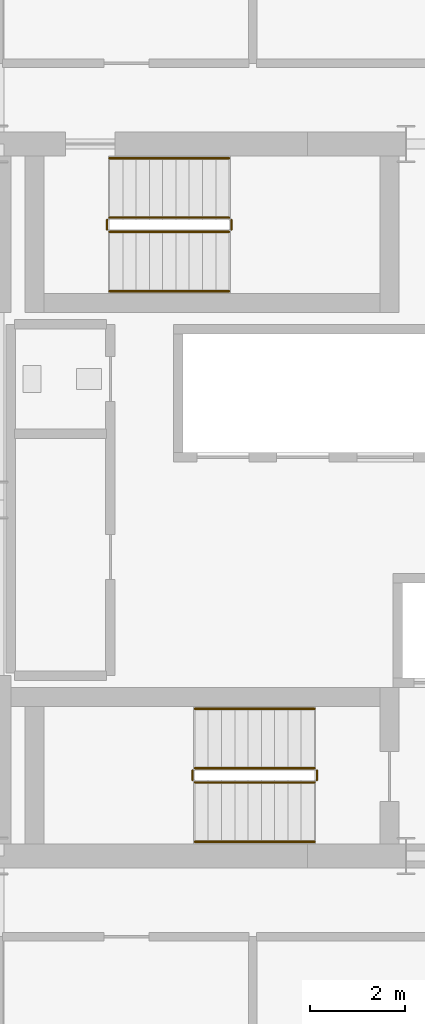
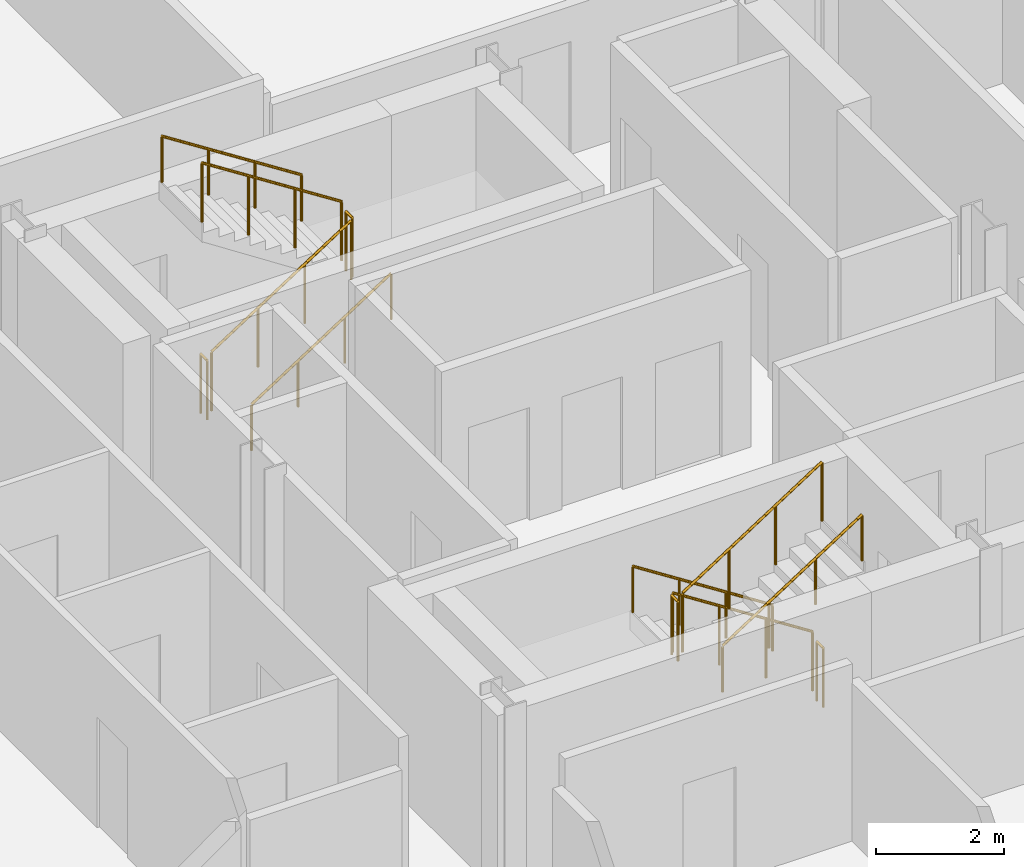
# One storey, part 22 of 23: 12 railings.
"""IFC4 building model written with IfcOpenShell, lengths in metres."""

import ifcopenshell
import ifcopenshell.guid

model = None  # the IFC model being written
_history = None  # IfcOwnerHistory: only IFC2X3 demands one
_inside = {}  # id of a spatial element -> (the spatial element, [elements in it])
_under = {}  # id of a project, library or spatial element -> (it, [spatial elements below it])
_declared = {}  # id of a project -> (the project, [libraries it declares])
_typed = {}  # id of a type object -> (the type object, [elements of that type])
_made_of = {}  # id of a material, layer set ... -> (it, [elements and type objects made of it])


def new_model(schema):
    """Start an empty IFC model of exactly this schema.

    Asked for "IFC4X3", IfcOpenShell would pick the latest addendum, in which some entities
    have other attributes; the version numbers below select the first issue.
    IFC2X3 requires an IfcOwnerHistory on every rooted entity: one is made here for all.
    """
    global model, _history
    if schema == "IFC4X3":
        model = ifcopenshell.file(schema_version=(4, 3, 0, 0))
    else:
        model = ifcopenshell.file(schema=schema)
    _inside.clear()
    _under.clear()
    _declared.clear()
    _typed.clear()
    _made_of.clear()
    _history = None
    if model.schema == "IFC2X3":
        org = make("IfcOrganization", Name="unknown")
        user = make(
            "IfcPersonAndOrganization",
            ThePerson=make("IfcPerson", FamilyName="unknown"),
            TheOrganization=org,
        )
        app = make(
            "IfcApplication",
            ApplicationDeveloper=org,
            Version="unknown",
            ApplicationFullName="unknown",
            ApplicationIdentifier="unknown",
        )
        _history = make(
            "IfcOwnerHistory",
            OwningUser=user,
            OwningApplication=app,
            ChangeAction="ADDED",
            CreationDate=0,
        )
    return model


def make(cls, **values):
    """One entity of the class cls with the attributes given. An attribute that is None is left unset."""
    return model.create_entity(
        cls, **{name: value for name, value in values.items() if value is not None}
    )


def rooted(cls, **values):
    """An entity with a GlobalId (a new one), such as an element, a storey or a relation."""
    return make(cls, GlobalId=ifcopenshell.guid.new(), OwnerHistory=_history, **values)


def si_unit(unit_type, name, prefix=None):
    """IfcSIUnit, for example si_unit("LENGTHUNIT", "METRE", prefix="MILLI")."""
    return make("IfcSIUnit", UnitType=unit_type, Prefix=prefix, Name=name)


def assignment(units):
    """IfcUnitAssignment: the units of a project."""
    return None if units is None else make("IfcUnitAssignment", Units=units)


def point(xyz):
    """IfcCartesianPoint."""
    return None if xyz is None else make("IfcCartesianPoint", Coordinates=xyz)


def direction(xyz):
    """IfcDirection."""
    return None if xyz is None else make("IfcDirection", DirectionRatios=xyz)


def frame(location, z_axis=None, x_axis=None):
    """IfcAxis2Placement3D, a coordinate frame: its origin and axes. An axis left out is left unset."""
    return make(
        "IfcAxis2Placement3D",
        Location=point(location),
        Axis=direction(z_axis),
        RefDirection=direction(x_axis),
    )


def frame_2d(location, x_axis=None):
    """IfcAxis2Placement2D, a coordinate frame in the plane: its origin and x axis."""
    return make(
        "IfcAxis2Placement2D", Location=point(location), RefDirection=direction(x_axis)
    )


def origin():
    """The frame at (0, 0, 0) with its axes left unset."""
    return frame((0.0, 0.0, 0.0))


def origin_2d():
    """The frame at (0, 0) in the plane with its x axis left unset."""
    return frame_2d((0.0, 0.0))


def place(relative_to, where):
    """IfcLocalPlacement: puts the frame where relative to a parent placement (None: the world)."""
    return make(
        "IfcLocalPlacement", PlacementRelTo=relative_to, RelativePlacement=where
    )


def context(
    kind, dimensions, precision=None, world=None, true_north=None, identifier=None
):
    """IfcGeometricRepresentationContext, for example the 3D "Model" context."""
    return make(
        "IfcGeometricRepresentationContext",
        ContextIdentifier=identifier,
        ContextType=kind,
        CoordinateSpaceDimension=dimensions,
        Precision=precision,
        WorldCoordinateSystem=world,
        TrueNorth=true_north,
    )


def subcontext(parent, identifier, kind, view, scale=None):
    """IfcGeometricRepresentationSubContext, for example "Body" below "Model"."""
    return make(
        "IfcGeometricRepresentationSubContext",
        ContextIdentifier=identifier,
        ContextType=kind,
        ParentContext=parent,
        TargetScale=scale,
        TargetView=view,
    )


def project(units=None, contexts=None):
    """IfcProject with its units and contexts."""
    return rooted(
        "IfcProject",
        Name="project",
        RepresentationContexts=contexts,
        UnitsInContext=assignment(units),
    )


def spatial(cls, under=None, at=None, **own):
    """A site, building, storey or space (cls), placed at a placement, below another one or the project."""
    s = rooted(cls, ObjectPlacement=at, **own)
    if under is not None:
        _under.setdefault(under.id(), (under, []))[1].append(s)
    return s


def profile(cls, at=None, kind="AREA", **sizes):
    """A parametric profile (cls). Its sizes go by their IFC names, for example OverallWidth=200.0."""
    return make(cls, ProfileType=kind, Position=at, **sizes)


def circle(**sizes):
    """IfcCircleProfileDef."""
    return profile("IfcCircleProfileDef", **sizes)


def extrude(swept, where, along, depth):
    """IfcExtrudedAreaSolid: the profile swept, set in the frame where, extruded along a direction by depth."""
    return make(
        "IfcExtrudedAreaSolid",
        SweptArea=swept,
        Position=where,
        ExtrudedDirection=direction(along),
        Depth=depth,
    )


def shape(context_of_items, identifier, shape_type, items):
    """IfcShapeRepresentation: the items that make up one representation, for example the "Body"."""
    return make(
        "IfcShapeRepresentation",
        ContextOfItems=context_of_items,
        RepresentationIdentifier=identifier,
        RepresentationType=shape_type,
        Items=items,
    )


def material(Name=None, Category=None):
    """IfcMaterial."""
    return make("IfcMaterial", Name=Name, Category=Category)


def made_of(thing, what):
    """Note that an element or type object is made of a material, layer set ...; save() writes the relation."""
    if what is not None:
        _made_of.setdefault(what.id(), (what, []))[1].append(thing)
    return thing


def type_object(cls, material=None, **own):
    """A type object (cls), such as IfcWallType, which elements share."""
    return made_of(rooted(cls, **own), material)


def element(
    cls,
    number,
    at=None,
    inside=None,
    cuts=None,
    type_object=None,
    material=None,
    context=None,
    identifier="Body",
    shape_type=None,
    held_by="IfcProductDefinitionShape",
    body=None,
    shapes=None,
    **own,
):
    """One element of the class cls, such as IfcWall. Its Tag is "e" and its number.

    at: its placement. inside: the storey or other place that contains it. cuts: it is an
    opening in that element (IfcRelVoidsElement). A single representation is given by context,
    identifier, shape_type and body (its items); several are given by shapes. held_by: the class
    of the entity that holds the representations. save() writes the other relations.
    """
    e = rooted(cls, Tag="e%d" % number, ObjectPlacement=at, **own)
    if body is not None:
        shapes = [shape(context, identifier, shape_type, body)]
    if shapes is not None:
        e.Representation = make(held_by, Representations=shapes)
    if inside is not None:
        _inside.setdefault(inside.id(), (inside, []))[1].append(e)
    if cuts is not None:
        rooted(
            "IfcRelVoidsElement", RelatingBuildingElement=cuts, RelatedOpeningElement=e
        )
    if type_object is not None:
        _typed.setdefault(type_object.id(), (type_object, []))[1].append(e)
    return made_of(e, material)


def aggregate(whole, parts):
    """IfcRelAggregates: a whole, such as a stair, and the parts it consists of."""
    return rooted("IfcRelAggregates", RelatingObject=whole, RelatedObjects=parts)


def save(model, path):
    """Write the relations noted so far, then the file.

    IfcRelAggregates (storeys below a building ...), IfcRelContainedInSpatialStructure (elements
    in a storey), IfcRelDefinesByType, IfcRelAssociatesMaterial and IfcRelDeclares: one each for
    every whole, place, type object, material and project.
    """
    for whole, parts in _under.values():
        aggregate(whole, parts)
    for where, things in _inside.values():
        rooted(
            "IfcRelContainedInSpatialStructure",
            RelatedElements=things,
            RelatingStructure=where,
        )
    for kind, things in _typed.values():
        rooted("IfcRelDefinesByType", RelatedObjects=things, RelatingType=kind)
    for what, things in _made_of.values():
        rooted("IfcRelAssociatesMaterial", RelatedObjects=things, RelatingMaterial=what)
    for by, libraries in _declared.values():
        rooted("IfcRelDeclares", RelatingContext=by, RelatedDefinitions=libraries)
    model.write(path)


model = new_model("IFC4")

# Units and contexts
model_context = context("Model", 3, precision=1e-05, world=origin(), true_north=direction((0.0, 1.0)))
body_context = subcontext(model_context, "Body", "Model", "MODEL_VIEW")
ifc_project = project(units=[si_unit("LENGTHUNIT", "METRE"), si_unit("AREAUNIT", "SQUARE_METRE"), si_unit("VOLUMEUNIT", "CUBIC_METRE"), si_unit("PLANEANGLEUNIT", "RADIAN"), si_unit("MASSUNIT", "GRAM", prefix="KILO")], contexts=[model_context])

# Site, building, storey
site_placement = place(None, origin())
site = spatial("IfcSite", under=ifc_project, at=site_placement, CompositionType="ELEMENT")
building_placement = place(site_placement, origin())
building = spatial("IfcBuilding", under=site, at=building_placement, Name="Barlavira Tower and Art Museum", CompositionType="ELEMENT")
storey_placement = place(building_placement, frame((0.0, 0.0, 290.699951171875)))
storey = spatial("IfcBuildingStorey", under=building, at=storey_placement, Name="L76", CompositionType="ELEMENT", Elevation=290.699951171875)

# Railings
ifc_material = material(Name="Brushed stainless steel", Category="steel")
railing_type_1 = type_object("IfcRailingType", Name="Interior Void and Landing Guard Railing 1150", PredefinedType="GUARDRAIL", material=ifc_material)
railing_1_placement = place(storey_placement, frame((0.14990234375, -5.64990234375, 0.179931640625)))
element("IfcRailing", 1, at=railing_1_placement, inside=storey, type_object=railing_type_1, Name="L76 ST-T1 stair guard 1", PredefinedType="GUARDRAIL", context=body_context, shape_type="SweptSolid", body=[
    extrude(circle(Radius=0.02392578125, at=origin_2d()), frame((0.0, 0.0, 1.1259765625), z_axis=(-0.841162588446, 0.0, 0.540782303519), x_axis=(0.0, -1.0, 0.0)), (0.0, 0.0, 1.0), 2.995849609375),
    extrude(circle(Radius=0.02099609375, at=origin_2d()), origin(), (0.0, 0.0, 1.0), 1.101806640625),
    extrude(circle(Radius=0.02099609375, at=origin_2d()), frame((-0.840087890625, 0.0, 0.5400390625)), (0.0, 0.0, 1.0), 1.101806640625),
    extrude(circle(Radius=0.02099609375, at=origin_2d()), frame((-1.679931640625, 0.0, 1.080078125)), (0.0, 0.0, 1.0), 1.101806640625),
    extrude(circle(Radius=0.02099609375, at=origin_2d()), frame((-2.52001953125, 0.0, 1.6201171875)), (0.0, 0.0, 1.0), 1.101806640625),
])
railing_2_placement = place(storey_placement, frame((-2.419921875, -5.699951171875, 1.800048828125)))
element("IfcRailing", 2, at=railing_2_placement, inside=storey, type_object=railing_type_1, Name="L76 ST-T1 stair guard 2", PredefinedType="GUARDRAIL", context=body_context, shape_type="SweptSolid", body=[
    extrude(circle(Radius=0.02392578125, at=origin_2d()), frame((0.0, 0.0, 1.1259765625), z_axis=(0.0, -1.0, 0.0), x_axis=(1.0, 0.0, 0.0)), (0.0, 0.0, 1.0), 0.199951171875),
    extrude(circle(Radius=0.02099609375, at=origin_2d()), origin(), (0.0, 0.0, 1.0), 1.101806640625),
    extrude(circle(Radius=0.02099609375, at=origin_2d()), frame((0.0, -0.199951171875, 0.0)), (0.0, 0.0, 1.0), 1.101806640625),
])
railing_3_placement = place(storey_placement, frame((-2.3701171875, -5.949951171875, 1.97998046875)))
element("IfcRailing", 3, at=railing_3_placement, inside=storey, type_object=railing_type_1, Name="L76 ST-T1 stair guard 3", PredefinedType="GUARDRAIL", context=body_context, shape_type="SweptSolid", body=[
    extrude(circle(Radius=0.02392578125, at=origin_2d()), frame((0.0, 0.0, 1.1259765625), z_axis=(0.841162588446, 0.0, 0.540782303519), x_axis=(0.0, 1.0, 0.0)), (0.0, 0.0, 1.0), 2.995849609375),
    extrude(circle(Radius=0.02099609375, at=origin_2d()), origin(), (0.0, 0.0, 1.0), 1.101806640625),
    extrude(circle(Radius=0.02099609375, at=origin_2d()), frame((0.840087890625, 0.0, 0.5400390625)), (0.0, 0.0, 1.0), 1.101806640625),
    extrude(circle(Radius=0.02099609375, at=origin_2d()), frame((1.679931640625, 0.0, 1.080078125)), (0.0, 0.0, 1.0), 1.101806640625),
    extrude(circle(Radius=0.02099609375, at=origin_2d()), frame((2.52001953125, 0.0, 1.6201171875)), (0.0, 0.0, 1.0), 1.101806640625),
])
railing_4_placement = place(storey_placement, frame((0.199951171875, -5.699951171875, 0.0)))
element("IfcRailing", 4, at=railing_4_placement, inside=storey, type_object=railing_type_1, Name="L76 ST-T1 stair guard 4", PredefinedType="GUARDRAIL", context=body_context, shape_type="SweptSolid", body=[
    extrude(circle(Radius=0.02392578125, at=origin_2d()), frame((0.0, 0.0, 1.1259765625), z_axis=(0.0, -1.0, 0.0), x_axis=(1.0, 0.0, 0.0)), (0.0, 0.0, 1.0), 0.199951171875),
    extrude(circle(Radius=0.02099609375, at=origin_2d()), origin(), (0.0, 0.0, 1.0), 1.101806640625),
    extrude(circle(Radius=0.02099609375, at=origin_2d()), frame((0.0, -0.199951171875, 0.0)), (0.0, 0.0, 1.0), 1.101806640625),
])
railing_5_placement = place(storey_placement, frame((-4.169921875, 5.64990234375, 0.179931640625)))
element("IfcRailing", 5, at=railing_5_placement, inside=storey, type_object=railing_type_1, Name="L76 ST-T2 stair guard 1", PredefinedType="GUARDRAIL", context=body_context, shape_type="SweptSolid", body=[
    extrude(circle(Radius=0.02392578125, at=origin_2d()), frame((0.0, 0.0, 1.1259765625), z_axis=(0.841162588446, 0.0, 0.540782303519), x_axis=(0.0, 1.0, 0.0)), (0.0, 0.0, 1.0), 2.995849609375),
    extrude(circle(Radius=0.02099609375, at=origin_2d()), origin(), (0.0, 0.0, 1.0), 1.101806640625),
    extrude(circle(Radius=0.02099609375, at=origin_2d()), frame((0.840087890625, 0.0, 0.5400390625)), (0.0, 0.0, 1.0), 1.101806640625),
    extrude(circle(Radius=0.02099609375, at=origin_2d()), frame((1.679931640625, 0.0, 1.080078125)), (0.0, 0.0, 1.0), 1.101806640625),
    extrude(circle(Radius=0.02099609375, at=origin_2d()), frame((2.52001953125, 0.0, 1.6201171875)), (0.0, 0.0, 1.0), 1.101806640625),
])
railing_6_placement = place(storey_placement, frame((-1.60009765625, 5.699951171875, 1.800048828125)))
element("IfcRailing", 6, at=railing_6_placement, inside=storey, type_object=railing_type_1, Name="L76 ST-T2 stair guard 2", PredefinedType="GUARDRAIL", context=body_context, shape_type="SweptSolid", body=[
    extrude(circle(Radius=0.02392578125, at=origin_2d()), frame((0.0, 0.0, 1.1259765625), z_axis=(0.0, 1.0, 0.0), x_axis=(-1.0, 0.0, 0.0)), (0.0, 0.0, 1.0), 0.199951171875),
    extrude(circle(Radius=0.02099609375, at=origin_2d()), origin(), (0.0, 0.0, 1.0), 1.101806640625),
    extrude(circle(Radius=0.02099609375, at=origin_2d()), frame((0.0, 0.199951171875, 0.0)), (0.0, 0.0, 1.0), 1.101806640625),
])
railing_7_placement = place(storey_placement, frame((-1.64990234375, 5.949951171875, 1.97998046875)))
element("IfcRailing", 7, at=railing_7_placement, inside=storey, type_object=railing_type_1, Name="L76 ST-T2 stair guard 3", PredefinedType="GUARDRAIL", context=body_context, shape_type="SweptSolid", body=[
    extrude(circle(Radius=0.02392578125, at=origin_2d()), frame((0.0, 0.0, 1.1259765625), z_axis=(-0.841162588446, 0.0, 0.540782303519), x_axis=(0.0, -1.0, 0.0)), (0.0, 0.0, 1.0), 2.995849609375),
    extrude(circle(Radius=0.02099609375, at=origin_2d()), origin(), (0.0, 0.0, 1.0), 1.101806640625),
    extrude(circle(Radius=0.02099609375, at=origin_2d()), frame((-0.840087890625, 0.0, 0.5400390625)), (0.0, 0.0, 1.0), 1.101806640625),
    extrude(circle(Radius=0.02099609375, at=origin_2d()), frame((-1.679931640625, 0.0, 1.080078125)), (0.0, 0.0, 1.0), 1.101806640625),
    extrude(circle(Radius=0.02099609375, at=origin_2d()), frame((-2.52001953125, 0.0, 1.6201171875)), (0.0, 0.0, 1.0), 1.101806640625),
])
railing_8_placement = place(storey_placement, frame((-4.219970703125, 5.699951171875, 0.0)))
element("IfcRailing", 8, at=railing_8_placement, inside=storey, type_object=railing_type_1, Name="L76 ST-T2 stair guard 4", PredefinedType="GUARDRAIL", context=body_context, shape_type="SweptSolid", body=[
    extrude(circle(Radius=0.02392578125, at=origin_2d()), frame((0.0, 0.0, 1.1259765625), z_axis=(0.0, 1.0, 0.0), x_axis=(-1.0, 0.0, 0.0)), (0.0, 0.0, 1.0), 0.199951171875),
    extrude(circle(Radius=0.02099609375, at=origin_2d()), origin(), (0.0, 0.0, 1.0), 1.101806640625),
    extrude(circle(Radius=0.02099609375, at=origin_2d()), frame((0.0, 0.199951171875, 0.0)), (0.0, 0.0, 1.0), 1.101806640625),
])
railing_type_2 = type_object("IfcRailingType", Name="Stair Pitch Tubular Steel Handrail 920", PredefinedType="HANDRAIL", material=ifc_material)
railing_9_placement = place(storey_placement, frame((0.14990234375, -4.39990234375, 0.179931640625)))
element("IfcRailing", 9, at=railing_9_placement, inside=storey, type_object=railing_type_2, Name="L76 ST-T1 stair handrail 1", PredefinedType="HANDRAIL", context=body_context, shape_type="SweptSolid", body=[
    extrude(circle(Radius=0.02392578125, at=origin_2d()), frame((0.0, 0.0, 0.8759765625), z_axis=(-0.841162588446, 0.0, 0.540782303519), x_axis=(0.0, -1.0, 0.0)), (0.0, 0.0, 1.0), 2.995849609375),
    extrude(circle(Radius=0.02099609375, at=origin_2d()), origin(), (0.0, 0.0, 1.0), 0.851806640625),
    extrude(circle(Radius=0.02099609375, at=origin_2d()), frame((-0.840087890625, 0.0, 0.5400390625)), (0.0, 0.0, 1.0), 0.851806640625),
    extrude(circle(Radius=0.02099609375, at=origin_2d()), frame((-1.679931640625, 0.0, 1.080078125)), (0.0, 0.0, 1.0), 0.851806640625),
    extrude(circle(Radius=0.02099609375, at=origin_2d()), frame((-2.52001953125, 0.0, 1.6201171875)), (0.0, 0.0, 1.0), 0.851806640625),
])
for number, where, name in (
    (10, (-2.3701171875, -7.199951171875, 1.97998046875), "L76 ST-T1 stair handrail 2"),
    (11, (-4.169921875, 4.39990234375, 0.179931640625), "L76 ST-T2 stair handrail 1"),
):
    element("IfcRailing", number, at=place(storey_placement, frame(where)), inside=storey, type_object=railing_type_2, Name=name, PredefinedType="HANDRAIL", context=body_context, shape_type="SweptSolid", body=[
        extrude(circle(Radius=0.02392578125, at=origin_2d()), frame((0.0, 0.0, 0.8759765625), z_axis=(0.841162588446, 0.0, 0.540782303519), x_axis=(0.0, 1.0, 0.0)), (0.0, 0.0, 1.0), 2.995849609375),
        extrude(circle(Radius=0.02099609375, at=origin_2d()), origin(), (0.0, 0.0, 1.0), 0.851806640625),
        extrude(circle(Radius=0.02099609375, at=origin_2d()), frame((0.840087890625, 0.0, 0.5400390625)), (0.0, 0.0, 1.0), 0.851806640625),
        extrude(circle(Radius=0.02099609375, at=origin_2d()), frame((1.679931640625, 0.0, 1.080078125)), (0.0, 0.0, 1.0), 0.851806640625),
        extrude(circle(Radius=0.02099609375, at=origin_2d()), frame((2.52001953125, 0.0, 1.6201171875)), (0.0, 0.0, 1.0), 0.851806640625),
    ])
railing_10_placement = place(storey_placement, frame((-1.64990234375, 7.199951171875, 1.97998046875)))
element("IfcRailing", 12, at=railing_10_placement, inside=storey, type_object=railing_type_2, Name="L76 ST-T2 stair handrail 2", PredefinedType="HANDRAIL", context=body_context, shape_type="SweptSolid", body=[
    extrude(circle(Radius=0.02392578125, at=origin_2d()), frame((0.0, 0.0, 0.8759765625), z_axis=(-0.841162588446, 0.0, 0.540782303519), x_axis=(0.0, -1.0, 0.0)), (0.0, 0.0, 1.0), 2.995849609375),
    extrude(circle(Radius=0.02099609375, at=origin_2d()), origin(), (0.0, 0.0, 1.0), 0.851806640625),
    extrude(circle(Radius=0.02099609375, at=origin_2d()), frame((-0.840087890625, 0.0, 0.5400390625)), (0.0, 0.0, 1.0), 0.851806640625),
    extrude(circle(Radius=0.02099609375, at=origin_2d()), frame((-1.679931640625, 0.0, 1.080078125)), (0.0, 0.0, 1.0), 0.851806640625),
    extrude(circle(Radius=0.02099609375, at=origin_2d()), frame((-2.52001953125, 0.0, 1.6201171875)), (0.0, 0.0, 1.0), 0.851806640625),
])

save(model, "model.ifc")
